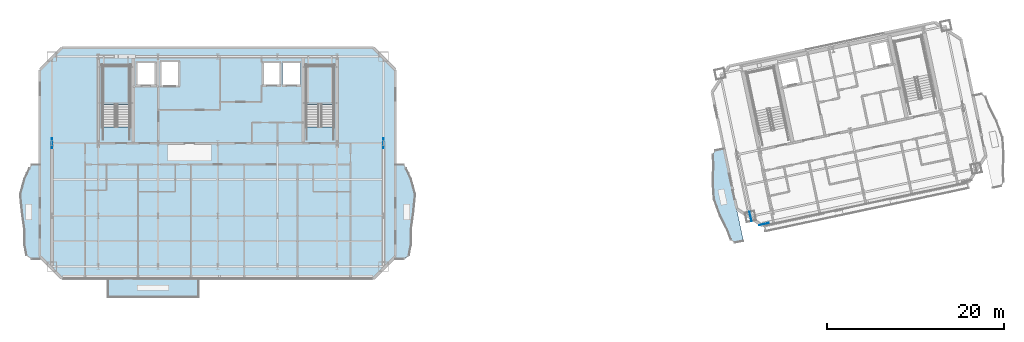
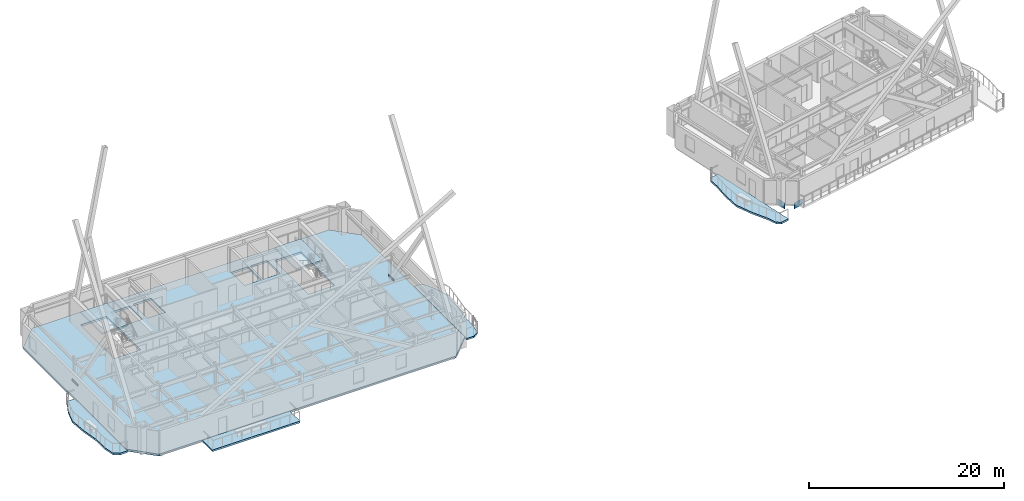
# One storey, part 8 of 19: 7 slabs, 4 plates, 2 elements without a shape of their own.
"""IFC4 building model written with IfcOpenShell, lengths in metres."""

from ifc_helpers import new_model, si_unit, direction, frame, origin, origin_2d, place, context, subcontext, project, spatial, polyline, rectangle, outline, extrude, material, layer, layer_set, type_object, element, aggregate, save


model = new_model("IFC4")

# Units and contexts
model_context = context("Model", 3, precision=1e-05, world=origin(), true_north=direction((0.0, 1.0)))
body_context = subcontext(model_context, "Body", "Model", "MODEL_VIEW")
ifc_project = project(units=[si_unit("LENGTHUNIT", "METRE"), si_unit("AREAUNIT", "SQUARE_METRE"), si_unit("VOLUMEUNIT", "CUBIC_METRE"), si_unit("PLANEANGLEUNIT", "RADIAN"), si_unit("MASSUNIT", "GRAM", prefix="KILO")], contexts=[model_context])

# Site, building, storey
site_placement = place(None, origin())
site = spatial("IfcSite", under=ifc_project, at=site_placement, CompositionType="ELEMENT")
building_placement = place(site_placement, origin())
building = spatial("IfcBuilding", under=site, at=building_placement, Name="Haevon Station Towers", CompositionType="ELEMENT")
storey_placement = place(building_placement, frame((0.0, 0.0, 218.699951171875)))
storey = spatial("IfcBuildingStorey", under=building, at=storey_placement, Name="L60", CompositionType="ELEMENT", Elevation=218.699951171875)

# Plates
ifc_material_1 = material(Name="PL-SPL1", Category="steel")
ifc_layer_1 = layer(ifc_material_1, 0.031982421875)
ifc_layer_set_1 = layer_set([ifc_layer_1], Name="PL-SPL1")
plate_type = type_object("IfcPlateType", Name="PL-SPL1", PredefinedType="USERDEFINED", material=ifc_layer_set_1)
for number, where, z_axis, x_axis, name in (
    (1, (18.75, 38.199951171875, -0.494873046875), (0.0, 0.0, 1.0), (0.0, 1.0, 0.0), "PL-T1SPL-T09-W-2"),
    (2, (56.25, 38.199951171875, -0.494873046875), (0.0, 0.0, 1.0), (0.0, 1.0, 0.0), "PL-T1SPL-T09-E-2"),
    (3, (99.25732421875, 29.05419921875, -0.494873046875), (0.0, 0.0, 1.0), (0.978147600734, 0.207911690818, 0.0), "PL-T2SPL-T09-S-1"),
    (4, (97.74267578125, 29.92822265625, -0.494873046875), (0.0, 0.0, 1.0), (-0.207911690818, 0.978147600734, 0.0), "PL-T2SPL-T09-W-1"),
):
    element("IfcPlate", number, at=place(storey_placement, frame(where, z_axis=z_axis, x_axis=x_axis)), inside=storey, type_object=plate_type, Name=name, ObjectType="SPLICE_PLATE", PredefinedType="USERDEFINED", context=body_context, shape_type="SweptSolid", body=[
        extrude(rectangle(XDim=1.10009765625, YDim=0.031982421875, at=origin_2d()), origin(), (0.0, 0.0, 1.0), 0.75),
    ])

# Slabs
ifc_material_2 = material(Name="Concrete C40/50", Category="concrete")
ifc_layer_2 = layer(ifc_material_2, 0.219970703125)
ifc_layer_set_2 = layer_set([ifc_layer_2], Name="Concrete C40/50")
slab_type_1 = type_object("IfcSlabType", Name="SL-BALC220", PredefinedType="FLOOR", material=ifc_layer_set_2)
slab_1_placement = place(storey_placement, frame((0.0, 0.0, -0.219970703125)))
element("IfcSlab", 5, at=slab_1_placement, inside=storey, type_object=slab_type_1, Name="Tower 1 L60 West SCALLOPED BALCONY", PredefinedType="FLOOR", context=body_context, shape_type="SweptSolid", body=[
    extrude(outline(polyline([(17.39501953125, 35.85009765625), (16.512939453125, 35.85009765625), (16.209716796875, 35.43896484375), (15.65185546875, 34.268310546875), (15.145263671875, 32.5166015625), (15.294921875, 30.449951171875), (15.63037109375, 28.383544921875), (15.65185546875, 26.631591796875), (15.884033203125, 25.4609375), (16.512939453125, 25.050048828125), (17.39501953125, 25.050048828125), (17.39501953125, 35.85009765625)])), origin(), (0.0, 0.0, 1.0), 0.219970703125),
])
slab_2_placement = place(storey_placement, frame((0.0, 0.0, -0.219970703125)))
element("IfcSlab", 6, at=slab_2_placement, inside=storey, type_object=slab_type_1, Name="Tower 1 L60 East SCALLOPED BALCONY", PredefinedType="FLOOR", context=body_context, shape_type="SweptSolid", body=[
    extrude(outline(polyline([(57.60498046875, 25.050048828125), (58.487060546875, 25.050048828125), (59.115966796875, 25.4609375), (59.34814453125, 26.631591796875), (59.36962890625, 28.383544921875), (59.705078125, 30.449951171875), (59.854736328125, 32.5166015625), (59.34814453125, 34.268310546875), (58.790283203125, 35.43896484375), (58.487060546875, 35.85009765625), (57.60498046875, 35.85009765625), (57.60498046875, 25.050048828125)])), origin(), (0.0, 0.0, 1.0), 0.219970703125),
])
slab_3_placement = place(storey_placement, frame((0.0, 0.0, -0.219970703125)))
element("IfcSlab", 7, at=slab_3_placement, inside=storey, type_object=slab_type_1, Name="Tower 1 L60 Planted Balcony Band", PredefinedType="FLOOR", context=body_context, shape_type="SweptSolid", body=[
    extrude(outline(polyline([(25.0, 20.800048828125), (35.39990234375, 20.800048828125), (35.39990234375, 22.89501953125), (25.0, 22.89501953125), (25.0, 20.800048828125)])), origin(), (0.0, 0.0, 1.0), 0.219970703125),
])
slab_4_placement = place(storey_placement, frame((0.0, 0.0, -0.219970703125)))
element("IfcSlab", 8, at=slab_4_placement, inside=storey, type_object=slab_type_1, Name="Tower 2 L60 West SCALLOPED BALCONY", PredefinedType="FLOOR", context=body_context, shape_type="SweptSolid", body=[
    extrude(outline(polyline([(94.71337890625, 37.662353515625), (93.746337890625, 37.45703125), (93.480224609375, 36.980224609375), (93.54296875, 35.796630859375), (93.44287109375, 33.984375), (93.53369140625, 31.89111328125), (94.30224609375, 29.94189453125), (95.130859375, 28.326904296875), (95.5546875, 27.22021484375), (95.99169921875, 26.892822265625), (96.958740234375, 27.098388671875), (94.71337890625, 37.662353515625)])), origin(), (0.0, 0.0, 1.0), 0.219970703125),
])

# Stair, slab
stair_type = type_object("IfcStairType", Name="STR-DL1450", PredefinedType="USERDEFINED", material=ifc_material_2)
stair_1_placement = place(storey_placement, origin())
stair_1 = element("IfcStair", 9, at=stair_1_placement, inside=storey, type_object=stair_type, Name="L60 Escape Stair ST1", ObjectType="TWO_RETURN_STAIR", PredefinedType="USERDEFINED")
ifc_layer_3 = layer(ifc_material_2, 0.199951171875)
ifc_layer_set_3 = layer_set([ifc_layer_3], Name="Concrete C40/50")
slab_type_2 = type_object("IfcSlabType", Name="SL-LND200", PredefinedType="LANDING", material=ifc_layer_set_3)
slab_5_placement = place(storey_placement, frame((0.0, 0.0, 1.449951171875)))
slab_5 = element("IfcSlab", 10, at=slab_5_placement, type_object=slab_type_2, Name="L60 ST1 Half Landing 1", PredefinedType="LANDING", context=body_context, shape_type="SweptSolid", body=[
    extrude(outline(polyline([(27.580078125, 42.56396484375), (27.580078125, 47.0), (24.47998046875, 47.0), (24.47998046875, 42.56396484375), (27.580078125, 42.56396484375)])), origin(), (0.0, 0.0, 1.0), 0.2001953125),
])
aggregate(stair_1, [slab_5])

stair_2_placement = place(storey_placement, origin())
stair_2 = element("IfcStair", 11, at=stair_2_placement, inside=storey, type_object=stair_type, Name="L60 Escape Stair ST2", ObjectType="TWO_RETURN_STAIR", PredefinedType="USERDEFINED")
slab_6_placement = place(storey_placement, frame((0.0, 0.0, 1.449951171875)))
slab_6 = element("IfcSlab", 12, at=slab_6_placement, type_object=slab_type_2, Name="L60 ST2 Half Landing 1", PredefinedType="LANDING", context=body_context, shape_type="SweptSolid", body=[
    extrude(outline(polyline([(50.6201171875, 42.56396484375), (50.6201171875, 47.0), (47.52001953125, 47.0), (47.52001953125, 42.56396484375), (50.6201171875, 42.56396484375)])), origin(), (0.0, 0.0, 1.0), 0.2001953125),
])
aggregate(stair_2, [slab_6])

# Slab
ifc_layer_4 = layer(ifc_material_2, 0.25)
ifc_layer_set_4 = layer_set([ifc_layer_4], Name="Concrete C40/50")
slab_type_3 = type_object("IfcSlabType", Name="SL-TW250", PredefinedType="FLOOR", material=ifc_layer_set_4)
slab_7_placement = place(storey_placement, frame((0.0, 0.0, -0.25)))
element("IfcSlab", 13, at=slab_7_placement, inside=storey, type_object=slab_type_3, Name="SL-T1-L60", PredefinedType="FLOOR", context=body_context, shape_type="SweptSolid", body=[
    extrude(outline(polyline([(19.89990234375, 22.89990234375), (55.10009765625, 22.89990234375), (57.60009765625, 25.39990234375), (57.60009765625, 46.5), (55.10009765625, 49.0), (19.89990234375, 49.0), (17.39990234375, 46.5), (17.39990234375, 25.39990234375), (19.89990234375, 22.89990234375)]), holes=[polyline([(27.580078125, 40.055908203125), (27.580078125, 47.0), (24.47998046875, 47.0), (24.47998046875, 40.055908203125), (27.580078125, 40.055908203125)]), polyline([(50.6201171875, 40.055908203125), (50.6201171875, 47.0), (47.52001953125, 47.0), (47.52001953125, 40.055908203125), (50.6201171875, 40.055908203125)]), polyline([(28.300048828125, 44.699951171875), (30.5, 44.699951171875), (30.5, 47.39990234375), (28.300048828125, 47.39990234375), (28.300048828125, 44.699951171875)]), polyline([(31.050048828125, 44.60009765625), (33.14990234375, 44.60009765625), (33.14990234375, 47.5), (31.050048828125, 47.5), (31.050048828125, 44.60009765625)]), polyline([(42.60009765625, 44.699951171875), (44.60009765625, 44.699951171875), (44.60009765625, 47.39990234375), (42.60009765625, 47.39990234375), (42.60009765625, 44.699951171875)]), polyline([(44.85009765625, 44.699951171875), (46.85009765625, 44.699951171875), (46.85009765625, 47.39990234375), (44.85009765625, 47.39990234375), (44.85009765625, 44.699951171875)])]), origin(), (0.0, 0.0, 1.0), 0.25),
])

save(model, "model.ifc")
